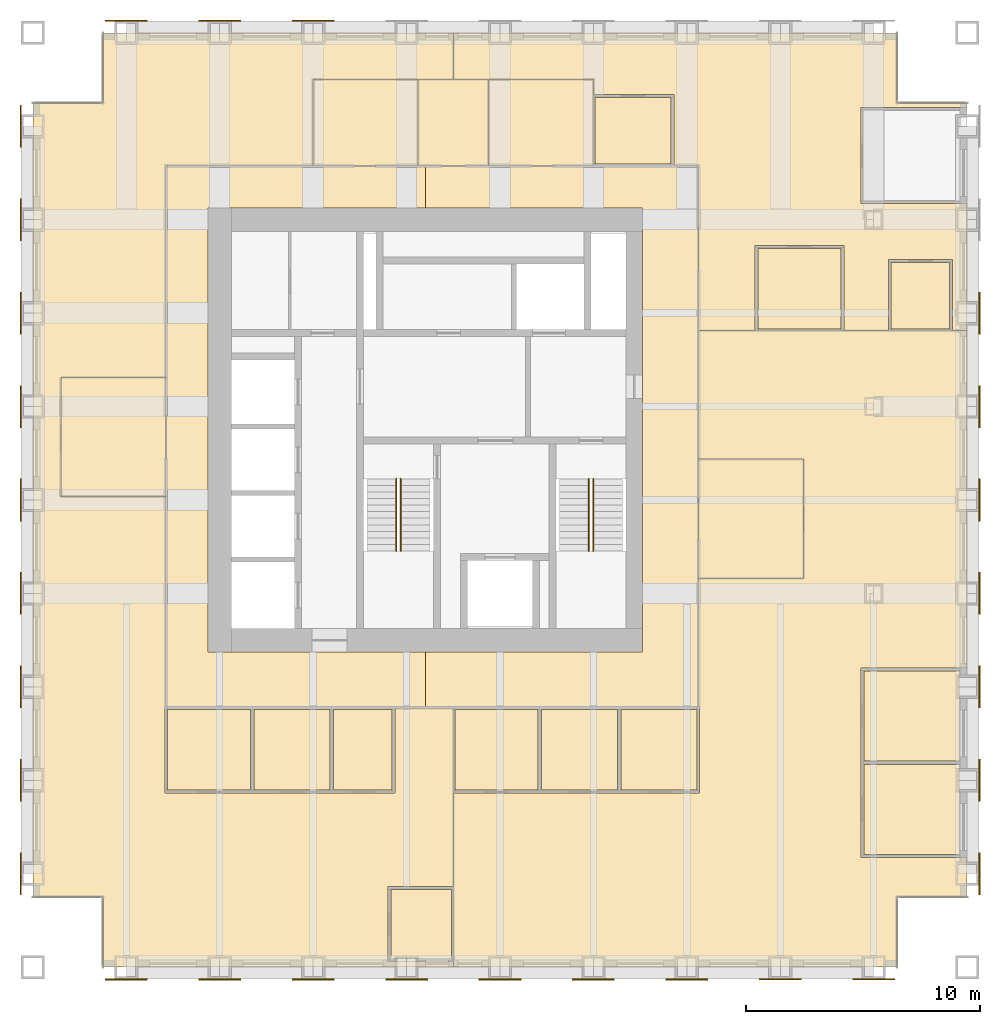
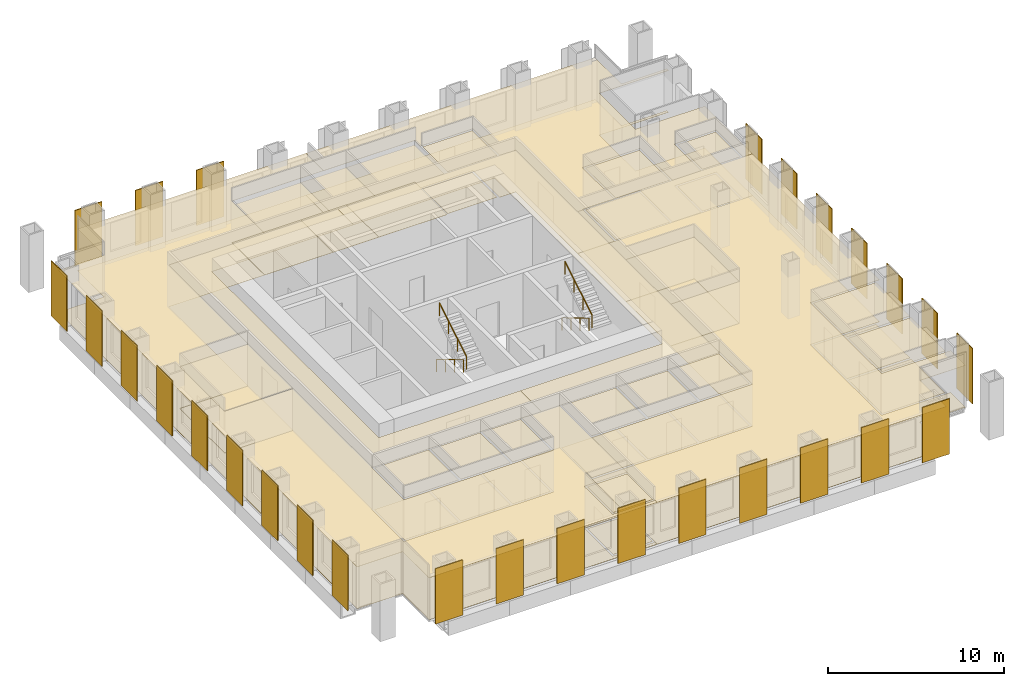
# One storey, part 12 of 13: 42 coverings, 28 shading devices, 4 railings.
"""IFC4 building model written with IfcOpenShell, lengths in metres."""

from ifc_helpers import new_model, si_unit, direction, frame, origin, origin_2d, place, context, subcontext, project, spatial, polyline, rectangle, circle, outline, extrude, material, layer, layer_set, type_object, element, save


model = new_model("IFC4")

# Units and contexts
model_context = context("Model", 3, precision=1e-05, world=origin(), true_north=direction((0.0, 1.0)))
body_context = subcontext(model_context, "Body", "Model", "MODEL_VIEW")
ifc_project = project(units=[si_unit("LENGTHUNIT", "METRE"), si_unit("AREAUNIT", "SQUARE_METRE"), si_unit("VOLUMEUNIT", "CUBIC_METRE"), si_unit("PLANEANGLEUNIT", "RADIAN"), si_unit("MASSUNIT", "GRAM", prefix="KILO")], contexts=[model_context])

# Site, building, storey
site_placement = place(None, origin())
site = spatial("IfcSite", under=ifc_project, at=site_placement, CompositionType="ELEMENT")
building_placement = place(site_placement, origin())
building = spatial("IfcBuilding", under=site, at=building_placement, Name="Rimbunsela Tower", CompositionType="ELEMENT")
storey_placement = place(building_placement, frame((0.0, 0.0, 254.199951171875)))
storey = spatial("IfcBuildingStorey", under=building, at=storey_placement, Name="L61", CompositionType="ELEMENT", Elevation=254.199951171875)

# Coverings
ifc_material_1 = material(Name="Nylon carpet tile", Category="textile")
ifc_layer_1 = layer(ifc_material_1, 0.010009765625)
ifc_layer_set_1 = layer_set([ifc_layer_1], Name="Carpet tile 10")
covering_type_1 = type_object("IfcCoveringType", Name="Carpet tile 10", PredefinedType="FLOORING", material=ifc_layer_set_1)
covering_1_placement = place(storey_placement, origin())
element("IfcCovering", 1, at=covering_1_placement, inside=storey, type_object=covering_type_1, Name="Floor finish Open office", PredefinedType="FLOORING", context=body_context, shape_type="SweptSolid", body=[
    extrude(outline(polyline([(19.449951171875, 11.449951171875), (22.75, 11.449951171875), (22.85009765625, 11.449951171875), (25.5, 11.449951171875), (25.5, 15.10009765625), (27.9990234375, 15.10009765625), (27.9990234375, 7.449951171875), (25.199951171875, 7.449951171875), (25.199951171875, 4.25), (27.9990234375, 4.25), (27.9990234375, 4.0), (15.699951171875, 4.0), (13.0, 4.0), (13.0, 7.0), (10.0, 7.0), (10.0, 41.0), (13.0, 41.0), (13.0, 44.0), (15.699951171875, 44.0), (27.9990234375, 44.0), (27.9990234375, 42.0), (22.0, 42.0), (22.0, 38.300048828125), (15.699951171875, 38.300048828125), (15.699951171875, 29.25), (11.199951171875, 29.25), (11.199951171875, 24.14990234375), (15.699951171875, 24.14990234375), (15.699951171875, 15.14990234375), (15.64990234375, 15.14990234375), (15.64990234375, 11.449951171875), (15.699951171875, 11.449951171875), (19.35009765625, 11.449951171875), (19.449951171875, 11.449951171875)])), origin(), (0.0, 0.0, 1.0), 0.010009765625),
])
covering_2_placement = place(storey_placement, origin())
element("IfcCovering", 2, at=covering_2_placement, inside=storey, type_object=covering_type_1, Name="Floor finish Open office", PredefinedType="FLOORING", context=body_context, shape_type="SweptSolid", body=[
    extrude(outline(polyline([(28.0009765625, 11.449951171875), (31.65087890625, 11.449951171875), (31.7509765625, 11.449951171875), (35.051025390625, 11.449951171875), (35.15087890625, 11.449951171875), (38.5, 11.449951171875), (38.550048828125, 11.449951171875), (38.550048828125, 15.14990234375), (38.5, 15.14990234375), (38.5, 20.64990234375), (43.0, 20.64990234375), (43.0, 25.75), (38.5, 25.75), (38.5, 31.2490234375), (50.0, 31.2490234375), (50.0, 16.800048828125), (45.449951171875, 16.800048828125), (45.449951171875, 12.800048828125), (45.449951171875, 12.699951171875), (45.449951171875, 8.699951171875), (50.0, 8.699951171875), (50.0, 7.0), (47.0, 7.0), (47.0, 4.0), (38.5, 4.0), (28.0009765625, 4.0), (28.0009765625, 11.449951171875)])), origin(), (0.0, 0.0, 1.0), 0.010009765625),
])
covering_3_placement = place(storey_placement, origin())
element("IfcCovering", 3, at=covering_3_placement, inside=storey, type_object=covering_type_1, Name="Floor finish Open office", PredefinedType="FLOORING", context=body_context, shape_type="SweptSolid", body=[
    extrude(outline(polyline([(50.0, 40.800048828125), (45.449951171875, 40.800048828125), (45.449951171875, 36.699951171875), (50.0, 36.699951171875), (50.0, 31.2509765625), (49.375, 31.2509765625), (49.375, 34.300048828125), (46.625, 34.300048828125), (46.625, 31.2509765625), (44.72509765625, 31.2509765625), (44.72509765625, 34.89990234375), (40.925048828125, 34.89990234375), (40.925048828125, 31.2509765625), (38.5, 31.2509765625), (38.5, 38.300048828125), (37.449951171875, 38.300048828125), (37.449951171875, 41.35009765625), (34.0, 41.35009765625), (34.0, 42.0), (28.0009765625, 42.0), (28.0009765625, 44.0), (38.5, 44.0), (47.0, 44.0), (47.0, 41.0), (50.0, 41.0), (50.0, 40.800048828125)])), origin(), (0.0, 0.0, 1.0), 0.010009765625),
])
covering_4_placement = place(storey_placement, origin())
element("IfcCovering", 4, at=covering_4_placement, inside=storey, type_object=covering_type_1, Name="Floor finish Reception", PredefinedType="FLOORING", context=body_context, shape_type="SweptSolid", body=[
    extrude(outline(polyline([(15.699951171875, 24.14990234375), (15.699951171875, 29.25), (11.199951171875, 29.25), (11.199951171875, 24.14990234375), (15.699951171875, 24.14990234375)])), origin(), (0.0, 0.0, 1.0), 0.010009765625),
])
covering_5_placement = place(storey_placement, origin())
element("IfcCovering", 5, at=covering_5_placement, inside=storey, type_object=covering_type_1, Name="Floor finish Reception", PredefinedType="FLOORING", context=body_context, shape_type="SweptSolid", body=[
    extrude(outline(polyline([(43.0, 20.64990234375), (43.0, 25.75), (38.5, 25.75), (38.5, 20.64990234375), (43.0, 20.64990234375)])), origin(), (0.0, 0.0, 1.0), 0.010009765625),
])
covering_6_placement = place(storey_placement, origin())
element("IfcCovering", 6, at=covering_6_placement, inside=storey, type_object=covering_type_1, Name="Floor finish Executive office", PredefinedType="FLOORING", context=body_context, shape_type="SweptSolid", body=[
    extrude(outline(polyline([(49.699951171875, 8.824951171875), (49.699951171875, 12.675048828125), (45.574951171875, 12.675048828125), (45.574951171875, 8.824951171875), (49.699951171875, 8.824951171875)])), origin(), (0.0, 0.0, 1.0), 0.010009765625),
])
covering_7_placement = place(storey_placement, origin())
element("IfcCovering", 7, at=covering_7_placement, inside=storey, type_object=covering_type_1, Name="Floor finish Executive office", PredefinedType="FLOORING", context=body_context, shape_type="SweptSolid", body=[
    extrude(outline(polyline([(49.699951171875, 12.824951171875), (49.699951171875, 16.675048828125), (45.574951171875, 16.675048828125), (45.574951171875, 12.824951171875), (49.699951171875, 12.824951171875)])), origin(), (0.0, 0.0, 1.0), 0.010009765625),
])
covering_8_placement = place(storey_placement, origin())
element("IfcCovering", 8, at=covering_8_placement, inside=storey, type_object=covering_type_1, Name="Floor finish Meeting room", PredefinedType="FLOORING", context=body_context, shape_type="SweptSolid", body=[
    extrude(outline(polyline([(19.324951171875, 11.574951171875), (19.324951171875, 15.02490234375), (15.77490234375, 15.02490234375), (15.77490234375, 11.574951171875), (19.324951171875, 11.574951171875)])), origin(), (0.0, 0.0, 1.0), 0.010009765625),
])
covering_9_placement = place(storey_placement, origin())
element("IfcCovering", 9, at=covering_9_placement, inside=storey, type_object=covering_type_1, Name="Floor finish Pantry", PredefinedType="FLOORING", context=body_context, shape_type="SweptSolid", body=[
    extrude(outline(polyline([(22.72509765625, 11.574951171875), (22.72509765625, 15.02490234375), (19.47509765625, 15.02490234375), (19.47509765625, 11.574951171875), (22.72509765625, 11.574951171875)])), origin(), (0.0, 0.0, 1.0), 0.010009765625),
])
covering_10_placement = place(storey_placement, origin())
element("IfcCovering", 10, at=covering_10_placement, inside=storey, type_object=covering_type_1, Name="Floor finish Print and copy room", PredefinedType="FLOORING", context=body_context, shape_type="SweptSolid", body=[
    extrude(outline(polyline([(25.375, 11.574951171875), (25.375, 15.02490234375), (22.875, 15.02490234375), (22.875, 11.574951171875), (25.375, 11.574951171875)])), origin(), (0.0, 0.0, 1.0), 0.010009765625),
])
covering_11_placement = place(storey_placement, origin())
element("IfcCovering", 11, at=covering_11_placement, inside=storey, type_object=covering_type_1, Name="Floor finish Meeting room", PredefinedType="FLOORING", context=body_context, shape_type="SweptSolid", body=[
    extrude(outline(polyline([(31.6259765625, 11.574951171875), (31.6259765625, 15.02490234375), (28.075927734375, 15.02490234375), (28.075927734375, 11.574951171875), (31.6259765625, 11.574951171875)])), origin(), (0.0, 0.0, 1.0), 0.010009765625),
])
covering_12_placement = place(storey_placement, origin())
element("IfcCovering", 12, at=covering_12_placement, inside=storey, type_object=covering_type_1, Name="Floor finish Pantry", PredefinedType="FLOORING", context=body_context, shape_type="SweptSolid", body=[
    extrude(outline(polyline([(35.02587890625, 11.574951171875), (35.02587890625, 15.02490234375), (31.77587890625, 15.02490234375), (31.77587890625, 11.574951171875), (35.02587890625, 11.574951171875)])), origin(), (0.0, 0.0, 1.0), 0.010009765625),
])
covering_13_placement = place(storey_placement, origin())
element("IfcCovering", 13, at=covering_13_placement, inside=storey, type_object=covering_type_1, Name="Floor finish Print and copy room", PredefinedType="FLOORING", context=body_context, shape_type="SweptSolid", body=[
    extrude(outline(polyline([(38.425048828125, 11.574951171875), (38.425048828125, 15.02490234375), (35.176025390625, 15.02490234375), (35.176025390625, 11.574951171875), (38.425048828125, 11.574951171875)])), origin(), (0.0, 0.0, 1.0), 0.010009765625),
])
covering_14_placement = place(storey_placement, origin())
element("IfcCovering", 14, at=covering_14_placement, inside=storey, type_object=covering_type_1, Name="Floor finish Office", PredefinedType="FLOORING", context=body_context, shape_type="SweptSolid", body=[
    extrude(outline(polyline([(27.925048828125, 4.375), (27.925048828125, 7.324951171875), (25.324951171875, 7.324951171875), (25.324951171875, 4.375), (27.925048828125, 4.375)])), origin(), (0.0, 0.0, 1.0), 0.010009765625),
])
covering_15_placement = place(storey_placement, origin())
element("IfcCovering", 15, at=covering_15_placement, inside=storey, type_object=covering_type_1, Name="Floor finish Meeting room", PredefinedType="FLOORING", context=body_context, shape_type="SweptSolid", body=[
    extrude(outline(polyline([(44.60009765625, 31.324951171875), (44.60009765625, 34.77490234375), (41.050048828125, 34.77490234375), (41.050048828125, 31.324951171875), (44.60009765625, 31.324951171875)])), origin(), (0.0, 0.0, 1.0), 0.010009765625),
])
covering_16_placement = place(storey_placement, origin())
element("IfcCovering", 16, at=covering_16_placement, inside=storey, type_object=covering_type_1, Name="Floor finish Pantry", PredefinedType="FLOORING", context=body_context, shape_type="SweptSolid", body=[
    extrude(outline(polyline([(37.324951171875, 38.375), (37.324951171875, 41.22509765625), (34.074951171875, 41.22509765625), (34.074951171875, 38.375), (37.324951171875, 38.375)])), origin(), (0.0, 0.0, 1.0), 0.010009765625),
])
covering_17_placement = place(storey_placement, origin())
element("IfcCovering", 17, at=covering_17_placement, inside=storey, type_object=covering_type_1, Name="Floor finish Print and copy room", PredefinedType="FLOORING", context=body_context, shape_type="SweptSolid", body=[
    extrude(outline(polyline([(49.25, 31.324951171875), (49.25, 34.175048828125), (46.75, 34.175048828125), (46.75, 31.324951171875), (49.25, 31.324951171875)])), origin(), (0.0, 0.0, 1.0), 0.010009765625),
])
ifc_material_2 = material(Name="Mineral fibre ceiling tile", Category="gypsum")
ifc_layer_2 = layer(ifc_material_2, 0.02001953125)
ifc_layer_set_2 = layer_set([ifc_layer_2], Name="Ceiling 600 grid")
covering_type_2 = type_object("IfcCoveringType", Name="Ceiling 600 grid", PredefinedType="CEILING", material=ifc_layer_set_2)
covering_18_placement = place(storey_placement, frame((0.0, 0.0, 2.900146484375)))
element("IfcCovering", 18, at=covering_18_placement, inside=storey, type_object=covering_type_2, Name="Ceiling Ring corridor", PredefinedType="CEILING", context=body_context, shape_type="SweptSolid", body=[
    extrude(outline(polyline([(15.699951171875, 38.300048828125), (26.800048828125, 38.300048828125), (26.800048828125, 36.5), (17.5, 36.5), (17.5, 17.5), (26.800048828125, 17.5), (26.800048828125, 15.10009765625), (15.699951171875, 15.10009765625), (15.699951171875, 38.300048828125)])), origin(), (0.0, 0.0, 1.0), 0.02001953125),
])
covering_19_placement = place(storey_placement, frame((0.0, 0.0, 2.900146484375)))
element("IfcCovering", 19, at=covering_19_placement, inside=storey, type_object=covering_type_2, Name="Ceiling Ring corridor", PredefinedType="CEILING", context=body_context, shape_type="SweptSolid", body=[
    extrude(outline(polyline([(38.5, 38.300048828125), (38.5, 15.10009765625), (26.800048828125, 15.10009765625), (26.800048828125, 17.5), (36.10009765625, 17.5), (36.10009765625, 36.5), (26.800048828125, 36.5), (26.800048828125, 38.300048828125), (38.5, 38.300048828125)])), origin(), (0.0, 0.0, 1.0), 0.02001953125),
])
covering_20_placement = place(storey_placement, frame((0.0, 0.0, 2.900146484375)))
element("IfcCovering", 20, at=covering_20_placement, inside=storey, type_object=covering_type_2, Name="Ceiling Open office", PredefinedType="CEILING", context=body_context, shape_type="SweptSolid", body=[
    extrude(outline(polyline([(19.449951171875, 11.449951171875), (22.75, 11.449951171875), (22.85009765625, 11.449951171875), (25.5, 11.449951171875), (25.5, 15.10009765625), (27.9990234375, 15.10009765625), (27.9990234375, 7.449951171875), (25.199951171875, 7.449951171875), (25.199951171875, 4.25), (27.9990234375, 4.25), (27.9990234375, 4.0), (15.699951171875, 4.0), (13.0, 4.0), (13.0, 7.0), (10.0, 7.0), (10.0, 41.0), (13.0, 41.0), (13.0, 44.0), (15.699951171875, 44.0), (27.9990234375, 44.0), (27.9990234375, 42.0), (22.0, 42.0), (22.0, 38.300048828125), (15.699951171875, 38.300048828125), (15.699951171875, 29.25), (11.199951171875, 29.25), (11.199951171875, 24.14990234375), (15.699951171875, 24.14990234375), (15.699951171875, 15.14990234375), (15.64990234375, 15.14990234375), (15.64990234375, 11.449951171875), (15.699951171875, 11.449951171875), (19.35009765625, 11.449951171875), (19.449951171875, 11.449951171875)])), origin(), (0.0, 0.0, 1.0), 0.02001953125),
])
covering_21_placement = place(storey_placement, frame((0.0, 0.0, 2.900146484375)))
element("IfcCovering", 21, at=covering_21_placement, inside=storey, type_object=covering_type_2, Name="Ceiling Open office", PredefinedType="CEILING", context=body_context, shape_type="SweptSolid", body=[
    extrude(outline(polyline([(28.0009765625, 11.449951171875), (31.65087890625, 11.449951171875), (31.7509765625, 11.449951171875), (35.051025390625, 11.449951171875), (35.15087890625, 11.449951171875), (38.5, 11.449951171875), (38.550048828125, 11.449951171875), (38.550048828125, 15.14990234375), (38.5, 15.14990234375), (38.5, 20.64990234375), (43.0, 20.64990234375), (43.0, 25.75), (38.5, 25.75), (38.5, 31.2490234375), (50.0, 31.2490234375), (50.0, 16.800048828125), (45.449951171875, 16.800048828125), (45.449951171875, 12.800048828125), (45.449951171875, 12.699951171875), (45.449951171875, 8.699951171875), (50.0, 8.699951171875), (50.0, 7.0), (47.0, 7.0), (47.0, 4.0), (38.5, 4.0), (28.0009765625, 4.0), (28.0009765625, 11.449951171875)])), origin(), (0.0, 0.0, 1.0), 0.02001953125),
])
covering_22_placement = place(storey_placement, frame((0.0, 0.0, 2.900146484375)))
element("IfcCovering", 22, at=covering_22_placement, inside=storey, type_object=covering_type_2, Name="Ceiling Open office", PredefinedType="CEILING", context=body_context, shape_type="SweptSolid", body=[
    extrude(outline(polyline([(50.0, 40.800048828125), (45.449951171875, 40.800048828125), (45.449951171875, 36.699951171875), (50.0, 36.699951171875), (50.0, 31.2509765625), (49.375, 31.2509765625), (49.375, 34.300048828125), (46.625, 34.300048828125), (46.625, 31.2509765625), (44.72509765625, 31.2509765625), (44.72509765625, 34.89990234375), (40.925048828125, 34.89990234375), (40.925048828125, 31.2509765625), (38.5, 31.2509765625), (38.5, 38.300048828125), (37.449951171875, 38.300048828125), (37.449951171875, 41.35009765625), (34.0, 41.35009765625), (34.0, 42.0), (28.0009765625, 42.0), (28.0009765625, 44.0), (38.5, 44.0), (47.0, 44.0), (47.0, 41.0), (50.0, 41.0), (50.0, 40.800048828125)])), origin(), (0.0, 0.0, 1.0), 0.02001953125),
])
covering_23_placement = place(storey_placement, frame((0.0, 0.0, 2.900146484375)))
element("IfcCovering", 23, at=covering_23_placement, inside=storey, type_object=covering_type_2, Name="Ceiling Reception", PredefinedType="CEILING", context=body_context, shape_type="SweptSolid", body=[
    extrude(outline(polyline([(15.699951171875, 24.14990234375), (15.699951171875, 29.25), (11.199951171875, 29.25), (11.199951171875, 24.14990234375), (15.699951171875, 24.14990234375)])), origin(), (0.0, 0.0, 1.0), 0.02001953125),
])
covering_24_placement = place(storey_placement, frame((0.0, 0.0, 2.900146484375)))
element("IfcCovering", 24, at=covering_24_placement, inside=storey, type_object=covering_type_2, Name="Ceiling Reception", PredefinedType="CEILING", context=body_context, shape_type="SweptSolid", body=[
    extrude(outline(polyline([(43.0, 20.64990234375), (43.0, 25.75), (38.5, 25.75), (38.5, 20.64990234375), (43.0, 20.64990234375)])), origin(), (0.0, 0.0, 1.0), 0.02001953125),
])
covering_25_placement = place(storey_placement, frame((0.0, 0.0, 2.900146484375)))
element("IfcCovering", 25, at=covering_25_placement, inside=storey, type_object=covering_type_2, Name="Ceiling Executive office", PredefinedType="CEILING", context=body_context, shape_type="SweptSolid", body=[
    extrude(outline(polyline([(49.699951171875, 8.824951171875), (49.699951171875, 12.675048828125), (45.574951171875, 12.675048828125), (45.574951171875, 8.824951171875), (49.699951171875, 8.824951171875)])), origin(), (0.0, 0.0, 1.0), 0.02001953125),
])
covering_26_placement = place(storey_placement, frame((0.0, 0.0, 2.900146484375)))
element("IfcCovering", 26, at=covering_26_placement, inside=storey, type_object=covering_type_2, Name="Ceiling Executive office", PredefinedType="CEILING", context=body_context, shape_type="SweptSolid", body=[
    extrude(outline(polyline([(49.699951171875, 12.824951171875), (49.699951171875, 16.675048828125), (45.574951171875, 16.675048828125), (45.574951171875, 12.824951171875), (49.699951171875, 12.824951171875)])), origin(), (0.0, 0.0, 1.0), 0.02001953125),
])
covering_27_placement = place(storey_placement, frame((0.0, 0.0, 2.900146484375)))
element("IfcCovering", 27, at=covering_27_placement, inside=storey, type_object=covering_type_2, Name="Ceiling Meeting room", PredefinedType="CEILING", context=body_context, shape_type="SweptSolid", body=[
    extrude(outline(polyline([(19.324951171875, 11.574951171875), (19.324951171875, 15.02490234375), (15.77490234375, 15.02490234375), (15.77490234375, 11.574951171875), (19.324951171875, 11.574951171875)])), origin(), (0.0, 0.0, 1.0), 0.02001953125),
])
covering_28_placement = place(storey_placement, frame((0.0, 0.0, 2.900146484375)))
element("IfcCovering", 28, at=covering_28_placement, inside=storey, type_object=covering_type_2, Name="Ceiling Pantry", PredefinedType="CEILING", context=body_context, shape_type="SweptSolid", body=[
    extrude(outline(polyline([(22.72509765625, 11.574951171875), (22.72509765625, 15.02490234375), (19.47509765625, 15.02490234375), (19.47509765625, 11.574951171875), (22.72509765625, 11.574951171875)])), origin(), (0.0, 0.0, 1.0), 0.02001953125),
])
covering_29_placement = place(storey_placement, frame((0.0, 0.0, 2.900146484375)))
element("IfcCovering", 29, at=covering_29_placement, inside=storey, type_object=covering_type_2, Name="Ceiling Print and copy room", PredefinedType="CEILING", context=body_context, shape_type="SweptSolid", body=[
    extrude(outline(polyline([(25.375, 11.574951171875), (25.375, 15.02490234375), (22.875, 15.02490234375), (22.875, 11.574951171875), (25.375, 11.574951171875)])), origin(), (0.0, 0.0, 1.0), 0.02001953125),
])
covering_30_placement = place(storey_placement, frame((0.0, 0.0, 2.900146484375)))
element("IfcCovering", 30, at=covering_30_placement, inside=storey, type_object=covering_type_2, Name="Ceiling Meeting room", PredefinedType="CEILING", context=body_context, shape_type="SweptSolid", body=[
    extrude(outline(polyline([(31.6259765625, 11.574951171875), (31.6259765625, 15.02490234375), (28.075927734375, 15.02490234375), (28.075927734375, 11.574951171875), (31.6259765625, 11.574951171875)])), origin(), (0.0, 0.0, 1.0), 0.02001953125),
])
covering_31_placement = place(storey_placement, frame((0.0, 0.0, 2.900146484375)))
element("IfcCovering", 31, at=covering_31_placement, inside=storey, type_object=covering_type_2, Name="Ceiling Pantry", PredefinedType="CEILING", context=body_context, shape_type="SweptSolid", body=[
    extrude(outline(polyline([(35.02587890625, 11.574951171875), (35.02587890625, 15.02490234375), (31.77587890625, 15.02490234375), (31.77587890625, 11.574951171875), (35.02587890625, 11.574951171875)])), origin(), (0.0, 0.0, 1.0), 0.02001953125),
])
covering_32_placement = place(storey_placement, frame((0.0, 0.0, 2.900146484375)))
element("IfcCovering", 32, at=covering_32_placement, inside=storey, type_object=covering_type_2, Name="Ceiling Print and copy room", PredefinedType="CEILING", context=body_context, shape_type="SweptSolid", body=[
    extrude(outline(polyline([(38.425048828125, 11.574951171875), (38.425048828125, 15.02490234375), (35.176025390625, 15.02490234375), (35.176025390625, 11.574951171875), (38.425048828125, 11.574951171875)])), origin(), (0.0, 0.0, 1.0), 0.02001953125),
])
covering_33_placement = place(storey_placement, frame((0.0, 0.0, 2.900146484375)))
element("IfcCovering", 33, at=covering_33_placement, inside=storey, type_object=covering_type_2, Name="Ceiling Office", PredefinedType="CEILING", context=body_context, shape_type="SweptSolid", body=[
    extrude(outline(polyline([(27.925048828125, 4.375), (27.925048828125, 7.324951171875), (25.324951171875, 7.324951171875), (25.324951171875, 4.375), (27.925048828125, 4.375)])), origin(), (0.0, 0.0, 1.0), 0.02001953125),
])
covering_34_placement = place(storey_placement, frame((0.0, 0.0, 2.900146484375)))
element("IfcCovering", 34, at=covering_34_placement, inside=storey, type_object=covering_type_2, Name="Ceiling Meeting room", PredefinedType="CEILING", context=body_context, shape_type="SweptSolid", body=[
    extrude(outline(polyline([(44.60009765625, 31.324951171875), (44.60009765625, 34.77490234375), (41.050048828125, 34.77490234375), (41.050048828125, 31.324951171875), (44.60009765625, 31.324951171875)])), origin(), (0.0, 0.0, 1.0), 0.02001953125),
])
covering_35_placement = place(storey_placement, frame((0.0, 0.0, 2.900146484375)))
element("IfcCovering", 35, at=covering_35_placement, inside=storey, type_object=covering_type_2, Name="Ceiling Pantry", PredefinedType="CEILING", context=body_context, shape_type="SweptSolid", body=[
    extrude(outline(polyline([(37.324951171875, 38.375), (37.324951171875, 41.22509765625), (34.074951171875, 41.22509765625), (34.074951171875, 38.375), (37.324951171875, 38.375)])), origin(), (0.0, 0.0, 1.0), 0.02001953125),
])
covering_36_placement = place(storey_placement, frame((0.0, 0.0, 2.900146484375)))
element("IfcCovering", 36, at=covering_36_placement, inside=storey, type_object=covering_type_2, Name="Ceiling Print and copy room", PredefinedType="CEILING", context=body_context, shape_type="SweptSolid", body=[
    extrude(outline(polyline([(49.25, 31.324951171875), (49.25, 34.175048828125), (46.75, 34.175048828125), (46.75, 31.324951171875), (49.25, 31.324951171875)])), origin(), (0.0, 0.0, 1.0), 0.02001953125),
])
ifc_material_3 = material(Name="Moisture-resistant plasterboard ceiling", Category="gypsum")
ifc_layer_3 = layer(ifc_material_3, 0.012451171875)
ifc_layer_set_3 = layer_set([ifc_layer_3], Name="Ceiling moisture-resistant board")
covering_type_3 = type_object("IfcCoveringType", Name="Ceiling moisture-resistant board", PredefinedType="CEILING", material=ifc_layer_set_3)
covering_37_placement = place(storey_placement, frame((0.0, 0.0, 2.60009765625)))
element("IfcCovering", 37, at=covering_37_placement, inside=storey, type_object=covering_type_3, Name="Ceiling Female WC", PredefinedType="CEILING", context=body_context, shape_type="SweptSolid", body=[
    extrude(outline(polyline([(26.5, 38.300048828125), (26.5, 42.0), (22.0, 42.0), (22.0, 38.300048828125), (26.5, 38.300048828125)])), origin(), (0.0, 0.0, 1.0), 0.02001953125),
])
covering_38_placement = place(storey_placement, frame((0.0, 0.0, 2.60009765625)))
element("IfcCovering", 38, at=covering_38_placement, inside=storey, type_object=covering_type_3, Name="Ceiling Accessible WC", PredefinedType="CEILING", context=body_context, shape_type="SweptSolid", body=[
    extrude(outline(polyline([(29.5, 38.300048828125), (29.5, 42.0), (26.5, 42.0), (26.5, 38.300048828125), (29.5, 38.300048828125)])), origin(), (0.0, 0.0, 1.0), 0.02001953125),
])
covering_39_placement = place(storey_placement, frame((0.0, 0.0, 2.60009765625)))
element("IfcCovering", 39, at=covering_39_placement, inside=storey, type_object=covering_type_3, Name="Ceiling Male WC", PredefinedType="CEILING", context=body_context, shape_type="SweptSolid", body=[
    extrude(outline(polyline([(34.0, 38.300048828125), (34.0, 42.0), (29.5, 42.0), (29.5, 38.300048828125), (34.0, 38.300048828125)])), origin(), (0.0, 0.0, 1.0), 0.02001953125),
])
ifc_material_4 = material(Name="Porcelain floor tile in adhesive bed", Category="ceramic")
ifc_layer_4 = layer(ifc_material_4, 0.02001953125)
ifc_layer_set_4 = layer_set([ifc_layer_4], Name="Porcelain tile 20")
covering_type_4 = type_object("IfcCoveringType", Name="Porcelain tile 20", PredefinedType="FLOORING", material=ifc_layer_set_4)
covering_40_placement = place(storey_placement, origin())
element("IfcCovering", 40, at=covering_40_placement, inside=storey, type_object=covering_type_4, Name="Floor finish Female WC", PredefinedType="FLOORING", context=body_context, shape_type="SweptSolid", body=[
    extrude(outline(polyline([(26.5, 38.300048828125), (26.5, 42.0), (22.0, 42.0), (22.0, 38.300048828125), (26.5, 38.300048828125)])), origin(), (0.0, 0.0, 1.0), 0.02001953125),
])
covering_41_placement = place(storey_placement, origin())
element("IfcCovering", 41, at=covering_41_placement, inside=storey, type_object=covering_type_4, Name="Floor finish Accessible WC", PredefinedType="FLOORING", context=body_context, shape_type="SweptSolid", body=[
    extrude(outline(polyline([(29.5, 38.300048828125), (29.5, 42.0), (26.5, 42.0), (26.5, 38.300048828125), (29.5, 38.300048828125)])), origin(), (0.0, 0.0, 1.0), 0.02001953125),
])
covering_42_placement = place(storey_placement, origin())
element("IfcCovering", 42, at=covering_42_placement, inside=storey, type_object=covering_type_4, Name="Floor finish Male WC", PredefinedType="FLOORING", context=body_context, shape_type="SweptSolid", body=[
    extrude(outline(polyline([(34.0, 38.300048828125), (34.0, 42.0), (29.5, 42.0), (29.5, 38.300048828125), (34.0, 38.300048828125)])), origin(), (0.0, 0.0, 1.0), 0.02001953125),
])

# Shading devices
ifc_material_5 = material(Name="Perforated aluminium, 35 % open area", Category="aluminium")
ifc_layer_5 = layer(ifc_material_5, 0.050048828125)
ifc_layer_set_5 = layer_set([ifc_layer_5], Name="Solar screen panel 1800")
shading_device_type = type_object("IfcShadingDeviceType", Name="Solar screen panel 1800", PredefinedType="USERDEFINED", material=ifc_layer_set_5)
for number, where, z_axis, x_axis, name in (
    (43, (14.0, 3.47509765625, 0.0), (0.0, 0.0, 1.0), (1.0, 0.0, 0.0), "Solar screen S L61"),
    (44, (18.0, 3.47509765625, 0.0), (0.0, 0.0, 1.0), (1.0, 0.0, 0.0), "Solar screen S L61"),
    (45, (22.0, 3.47509765625, 0.0), (0.0, 0.0, 1.0), (1.0, 0.0, 0.0), "Solar screen S L61"),
    (46, (26.0, 3.47509765625, 0.0), (0.0, 0.0, 1.0), (1.0, 0.0, 0.0), "Solar screen S L61"),
    (47, (30.0, 3.47509765625, 0.0), (0.0, 0.0, 1.0), (1.0, 0.0, 0.0), "Solar screen S L61"),
    (48, (34.0, 3.47509765625, 0.0), (0.0, 0.0, 1.0), (1.0, 0.0, 0.0), "Solar screen S L61"),
    (49, (38.0, 3.47509765625, 0.0), (0.0, 0.0, 1.0), (1.0, 0.0, 0.0), "Solar screen S L61"),
    (50, (42.0, 3.47509765625, 0.0), (0.0, 0.0, 1.0), (1.0, 0.0, 0.0), "Solar screen S L61"),
    (51, (46.0, 3.47509765625, 0.0), (0.0, 0.0, 1.0), (1.0, 0.0, 0.0), "Solar screen S L61"),
    (52, (50.52490234375, 8.0, 0.0), (0.0, 0.0, 1.0), (0.0, 1.0, 0.0), "Solar screen E L61"),
    (53, (50.52490234375, 12.0, 0.0), (0.0, 0.0, 1.0), (0.0, 1.0, 0.0), "Solar screen E L61"),
    (54, (50.52490234375, 16.0, 0.0), (0.0, 0.0, 1.0), (0.0, 1.0, 0.0), "Solar screen E L61"),
    (55, (50.52490234375, 20.0, 0.0), (0.0, 0.0, 1.0), (0.0, 1.0, 0.0), "Solar screen E L61"),
    (56, (50.52490234375, 24.0, 0.0), (0.0, 0.0, 1.0), (0.0, 1.0, 0.0), "Solar screen E L61"),
    (57, (50.52490234375, 28.0, 0.0), (0.0, 0.0, 1.0), (0.0, 1.0, 0.0), "Solar screen E L61"),
    (58, (50.52490234375, 32.0, 0.0), (0.0, 0.0, 1.0), (0.0, 1.0, 0.0), "Solar screen E L61"),
    (59, (14.0, 44.52490234375, 0.0), (0.0, 0.0, 1.0), (1.0, 0.0, 0.0), "Solar screen N L61"),
    (60, (18.0, 44.52490234375, 0.0), (0.0, 0.0, 1.0), (1.0, 0.0, 0.0), "Solar screen N L61"),
    (61, (22.0, 44.52490234375, 0.0), (0.0, 0.0, 1.0), (1.0, 0.0, 0.0), "Solar screen N L61"),
    (62, (9.47509765625, 8.0, 0.0), (0.0, 0.0, 1.0), (0.0, 1.0, 0.0), "Solar screen W L61"),
    (63, (9.47509765625, 12.0, 0.0), (0.0, 0.0, 1.0), (0.0, 1.0, 0.0), "Solar screen W L61"),
    (64, (9.47509765625, 16.0, 0.0), (0.0, 0.0, 1.0), (0.0, 1.0, 0.0), "Solar screen W L61"),
    (65, (9.47509765625, 20.0, 0.0), (0.0, 0.0, 1.0), (0.0, 1.0, 0.0), "Solar screen W L61"),
    (66, (9.47509765625, 24.0, 0.0), (0.0, 0.0, 1.0), (0.0, 1.0, 0.0), "Solar screen W L61"),
    (67, (9.47509765625, 28.0, 0.0), (0.0, 0.0, 1.0), (0.0, 1.0, 0.0), "Solar screen W L61"),
    (68, (9.47509765625, 32.0, 0.0), (0.0, 0.0, 1.0), (0.0, 1.0, 0.0), "Solar screen W L61"),
    (69, (9.47509765625, 36.0, 0.0), (0.0, 0.0, 1.0), (0.0, 1.0, 0.0), "Solar screen W L61"),
    (70, (9.47509765625, 40.0, 0.0), (0.0, 0.0, 1.0), (0.0, 1.0, 0.0), "Solar screen W L61"),
):
    element("IfcShadingDevice", number, at=place(storey_placement, frame(where, z_axis=z_axis, x_axis=x_axis)), inside=storey, type_object=shading_device_type, Name=name, ObjectType="SCREEN", PredefinedType="USERDEFINED", context=body_context, shape_type="SweptSolid", body=[
        extrude(rectangle(XDim=1.800048828125, YDim=0.050048828125, at=origin_2d()), origin(), (0.0, 0.0, 1.0), 3.85009765625),
    ])

# Railings
ifc_material_6 = material(Name="Stainless steel tube", Category="steel")
railing_type = type_object("IfcRailingType", Name="Stair handrail 900", PredefinedType="HANDRAIL", material=ifc_material_6)
railing_1_placement = place(storey_placement, frame((25.550048828125, 24.89990234375, 0.166748046875)))
element("IfcRailing", 71, at=railing_1_placement, inside=storey, type_object=railing_type, Name="Handrail ST-A flight 1", PredefinedType="HANDRAIL", context=body_context, shape_type="SweptSolid", body=[
    extrude(circle(Radius=0.02392578125, at=origin_2d()), frame((0.0, 0.0, 0.8759765625), z_axis=(0.0, -0.859290745958, 0.51148745235), x_axis=(1.0, 0.0, 0.0)), (0.0, 0.0, 1.0), 3.584228515625),
    extrude(circle(Radius=0.02099609375, at=origin_2d()), origin(), (0.0, 0.0, 1.0), 0.851806640625),
    extrude(circle(Radius=0.02099609375, at=origin_2d()), frame((0.0, -1.026611328125, 0.611083984375)), (0.0, 0.0, 1.0), 0.851806640625),
    extrude(circle(Radius=0.02099609375, at=origin_2d()), frame((0.0, -2.05322265625, 1.22216796875)), (0.0, 0.0, 1.0), 0.851806640625),
    extrude(circle(Radius=0.02099609375, at=origin_2d()), frame((0.0, -3.079833984375, 1.833251953125)), (0.0, 0.0, 1.0), 0.851806640625),
])
railing_2_placement = place(storey_placement, frame((25.75, 21.820068359375, 2.166748046875)))
element("IfcRailing", 72, at=railing_2_placement, inside=storey, type_object=railing_type, Name="Handrail ST-A flight 2", PredefinedType="HANDRAIL", context=body_context, shape_type="SweptSolid", body=[
    extrude(circle(Radius=0.02392578125, at=origin_2d()), frame((0.0, 0.0, 0.8759765625), z_axis=(0.0, 0.859290745958, 0.51148745235), x_axis=(-1.0, 0.0, 0.0)), (0.0, 0.0, 1.0), 3.584228515625),
    extrude(circle(Radius=0.02099609375, at=origin_2d()), origin(), (0.0, 0.0, 1.0), 0.851806640625),
    extrude(circle(Radius=0.02099609375, at=origin_2d()), frame((0.0, 1.026611328125, 0.611083984375)), (0.0, 0.0, 1.0), 0.851806640625),
    extrude(circle(Radius=0.02099609375, at=origin_2d()), frame((0.0, 2.05322265625, 1.22216796875)), (0.0, 0.0, 1.0), 0.851806640625),
    extrude(circle(Radius=0.02099609375, at=origin_2d()), frame((0.0, 3.079833984375, 1.833251953125)), (0.0, 0.0, 1.0), 0.851806640625),
])
railing_3_placement = place(storey_placement, frame((33.800048828125, 24.89990234375, 0.166748046875)))
element("IfcRailing", 73, at=railing_3_placement, inside=storey, type_object=railing_type, Name="Handrail ST-B flight 1", PredefinedType="HANDRAIL", context=body_context, shape_type="SweptSolid", body=[
    extrude(circle(Radius=0.02392578125, at=origin_2d()), frame((0.0, 0.0, 0.8759765625), z_axis=(0.0, -0.859290745958, 0.51148745235), x_axis=(1.0, 0.0, 0.0)), (0.0, 0.0, 1.0), 3.584228515625),
    extrude(circle(Radius=0.02099609375, at=origin_2d()), origin(), (0.0, 0.0, 1.0), 0.851806640625),
    extrude(circle(Radius=0.02099609375, at=origin_2d()), frame((0.0, -1.026611328125, 0.611083984375)), (0.0, 0.0, 1.0), 0.851806640625),
    extrude(circle(Radius=0.02099609375, at=origin_2d()), frame((0.0, -2.05322265625, 1.22216796875)), (0.0, 0.0, 1.0), 0.851806640625),
    extrude(circle(Radius=0.02099609375, at=origin_2d()), frame((0.0, -3.079833984375, 1.833251953125)), (0.0, 0.0, 1.0), 0.851806640625),
])
railing_4_placement = place(storey_placement, frame((34.0, 21.820068359375, 2.166748046875)))
element("IfcRailing", 74, at=railing_4_placement, inside=storey, type_object=railing_type, Name="Handrail ST-B flight 2", PredefinedType="HANDRAIL", context=body_context, shape_type="SweptSolid", body=[
    extrude(circle(Radius=0.02392578125, at=origin_2d()), frame((0.0, 0.0, 0.8759765625), z_axis=(0.0, 0.859290745958, 0.51148745235), x_axis=(-1.0, 0.0, 0.0)), (0.0, 0.0, 1.0), 3.584228515625),
    extrude(circle(Radius=0.02099609375, at=origin_2d()), origin(), (0.0, 0.0, 1.0), 0.851806640625),
    extrude(circle(Radius=0.02099609375, at=origin_2d()), frame((0.0, 1.026611328125, 0.611083984375)), (0.0, 0.0, 1.0), 0.851806640625),
    extrude(circle(Radius=0.02099609375, at=origin_2d()), frame((0.0, 2.05322265625, 1.22216796875)), (0.0, 0.0, 1.0), 0.851806640625),
    extrude(circle(Radius=0.02099609375, at=origin_2d()), frame((0.0, 3.079833984375, 1.833251953125)), (0.0, 0.0, 1.0), 0.851806640625),
])

save(model, "model.ifc")
